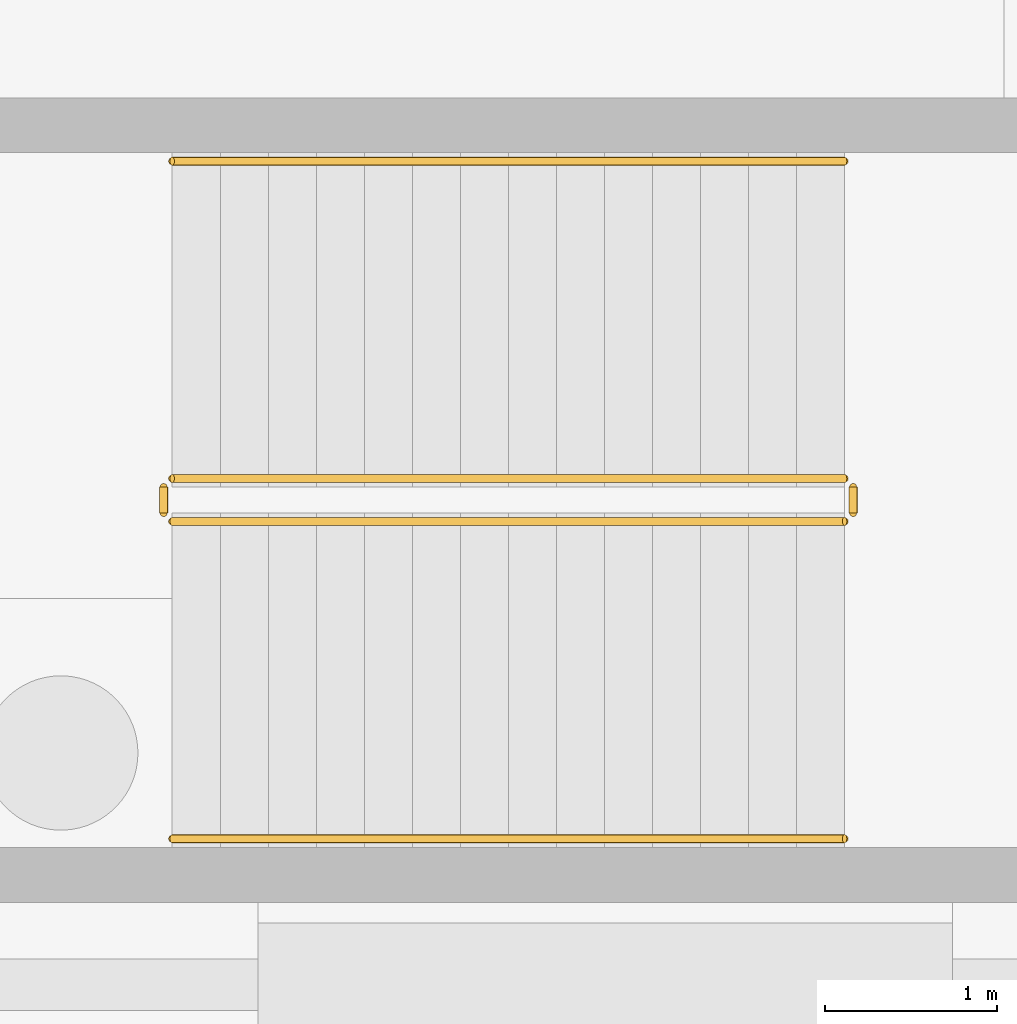
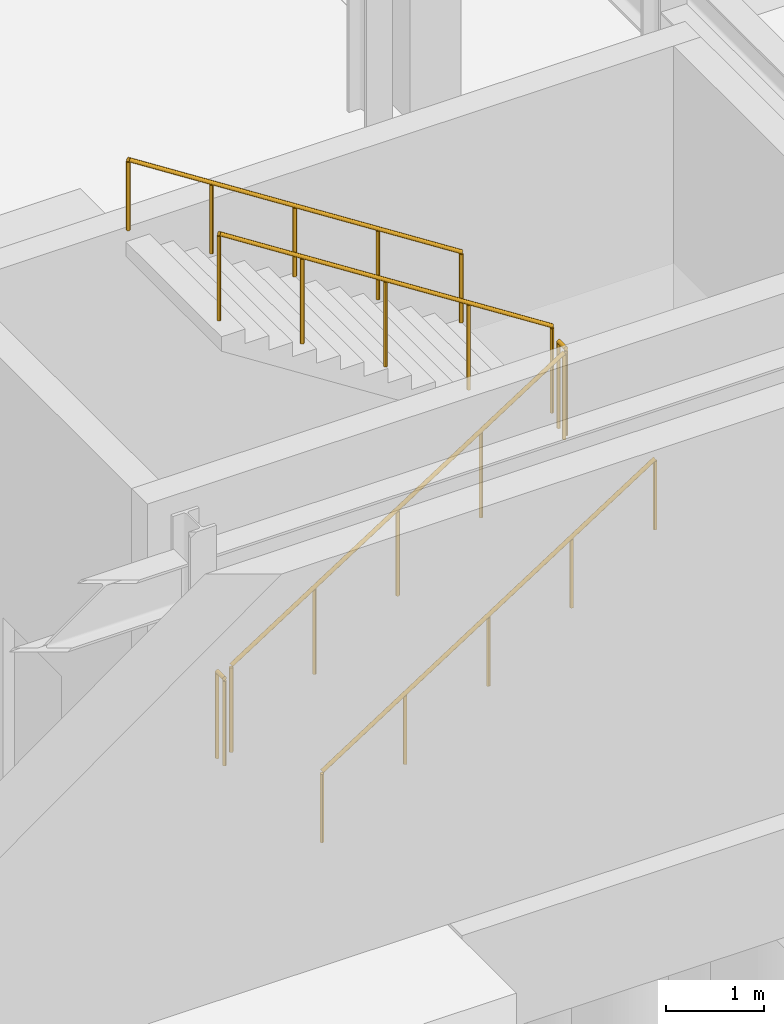
# One storey, part 54 of 65: 6 railings.
"""IFC4 building model written with IfcOpenShell, lengths in metres."""

from ifc_helpers import new_model, si_unit, direction, frame, origin, origin_2d, place, context, subcontext, project, spatial, circle, extrude, material, type_object, element, save


model = new_model("IFC4")

# Units and contexts
model_context = context("Model", 3, precision=1e-05, world=origin(), true_north=direction((0.0, 1.0)))
body_context = subcontext(model_context, "Body", "Model", "MODEL_VIEW")
ifc_project = project(units=[si_unit("LENGTHUNIT", "METRE"), si_unit("AREAUNIT", "SQUARE_METRE"), si_unit("VOLUMEUNIT", "CUBIC_METRE"), si_unit("PLANEANGLEUNIT", "RADIAN"), si_unit("MASSUNIT", "GRAM", prefix="KILO")], contexts=[model_context])

# Site, building, storey
site_placement = place(None, origin())
site = spatial("IfcSite", under=ifc_project, at=site_placement, CompositionType="ELEMENT")
building_placement = place(site_placement, origin())
building = spatial("IfcBuilding", under=site, at=building_placement, Name="Kaldris Quays Convention Centre", CompositionType="ELEMENT")
storey_placement = place(building_placement, frame((0.0, 0.0, -5.39990234375)))
storey = spatial("IfcBuildingStorey", under=building, at=storey_placement, Name="B1", CompositionType="ELEMENT", Elevation=-5.39990234375)

# Railings
ifc_material_1 = material(Name="Steel S355J2", Category="steel")
railing_type_1 = type_object("IfcRailingType", Name="INTERIOR GUARDRAIL GR01", PredefinedType="GUARDRAIL", material=ifc_material_1)
railing_1_placement = place(storey_placement, frame((76.0, 18.699951171875, 0.179931640625)))
element("IfcRailing", 1, at=railing_1_placement, inside=storey, type_object=railing_type_1, Name="B1 ST06 Stair Guardrail 1", PredefinedType="GUARDRAIL", context=body_context, shape_type="SweptSolid", body=[
    extrude(circle(Radius=0.02392578125, at=origin_2d()), frame((0.0, 0.0, 1.076171875), z_axis=(0.841171666519, 0.0, 0.540768182723), x_axis=(0.0, 1.0, 0.0)), (0.0, 0.0, 1.0), 4.66015625),
    extrude(circle(Radius=0.02099609375, at=origin_2d()), origin(), (0.0, 0.0, 1.0), 1.052001953125),
    extrude(circle(Radius=0.02099609375, at=origin_2d()), frame((0.97998046875, 0.0, 0.6298828125)), (0.0, 0.0, 1.0), 1.052001953125),
    extrude(circle(Radius=0.02099609375, at=origin_2d()), frame((1.9599609375, 0.0, 1.260009765625)), (0.0, 0.0, 1.0), 1.052001953125),
    extrude(circle(Radius=0.02099609375, at=origin_2d()), frame((2.93994140625, 0.0, 1.89013671875)), (0.0, 0.0, 1.0), 1.052001953125),
    extrude(circle(Radius=0.02099609375, at=origin_2d()), frame((3.919921875, 0.0, 2.52001953125)), (0.0, 0.0, 1.0), 1.052001953125),
])
railing_2_placement = place(storey_placement, frame((79.969970703125, 18.75, 2.699951171875)))
element("IfcRailing", 2, at=railing_2_placement, inside=storey, type_object=railing_type_1, Name="B1 ST06 Stair Guardrail 2", PredefinedType="GUARDRAIL", context=body_context, shape_type="SweptSolid", body=[
    extrude(circle(Radius=0.02392578125, at=origin_2d()), frame((0.0, 0.0, 1.076171875), z_axis=(0.0, 1.0, 0.0), x_axis=(-1.0, 0.0, 0.0)), (0.0, 0.0, 1.0), 0.14990234375),
    extrude(circle(Radius=0.02099609375, at=origin_2d()), origin(), (0.0, 0.0, 1.0), 1.052001953125),
    extrude(circle(Radius=0.02099609375, at=origin_2d()), frame((0.0, 0.14990234375, 0.0)), (0.0, 0.0, 1.0), 1.052001953125),
])
railing_3_placement = place(storey_placement, frame((79.919921875, 18.949951171875, 2.8798828125)))
element("IfcRailing", 3, at=railing_3_placement, inside=storey, type_object=railing_type_1, Name="B1 ST06 Stair Guardrail 3", PredefinedType="GUARDRAIL", context=body_context, shape_type="SweptSolid", body=[
    extrude(circle(Radius=0.02392578125, at=origin_2d()), frame((0.0, 0.0, 1.076171875), z_axis=(-0.841171666519, 0.0, 0.540768182723), x_axis=(0.0, -1.0, 0.0)), (0.0, 0.0, 1.0), 4.66015625),
    extrude(circle(Radius=0.02099609375, at=origin_2d()), origin(), (0.0, 0.0, 1.0), 1.052001953125),
    extrude(circle(Radius=0.02099609375, at=origin_2d()), frame((-0.97998046875, 0.0, 0.6298828125)), (0.0, 0.0, 1.0), 1.052001953125),
    extrude(circle(Radius=0.02099609375, at=origin_2d()), frame((-1.9599609375, 0.0, 1.260009765625)), (0.0, 0.0, 1.0), 1.052001953125),
    extrude(circle(Radius=0.02099609375, at=origin_2d()), frame((-2.93994140625, 0.0, 1.89013671875)), (0.0, 0.0, 1.0), 1.052001953125),
    extrude(circle(Radius=0.02099609375, at=origin_2d()), frame((-3.919921875, 0.0, 2.52001953125)), (0.0, 0.0, 1.0), 1.052001953125),
])
railing_4_placement = place(storey_placement, frame((75.949951171875, 18.75, 0.0)))
element("IfcRailing", 4, at=railing_4_placement, inside=storey, type_object=railing_type_1, Name="B1 ST06 Stair Guardrail 4", PredefinedType="GUARDRAIL", context=body_context, shape_type="SweptSolid", body=[
    extrude(circle(Radius=0.02392578125, at=origin_2d()), frame((0.0, 0.0, 1.076171875), z_axis=(0.0, 1.0, 0.0), x_axis=(-1.0, 0.0, 0.0)), (0.0, 0.0, 1.0), 0.14990234375),
    extrude(circle(Radius=0.02099609375, at=origin_2d()), origin(), (0.0, 0.0, 1.0), 1.052001953125),
    extrude(circle(Radius=0.02099609375, at=origin_2d()), frame((0.0, 0.14990234375, 0.0)), (0.0, 0.0, 1.0), 1.052001953125),
])
ifc_material_2 = material(Name="Stainless steel 1.4301", Category="steel")
railing_type_2 = type_object("IfcRailingType", Name="STAIR HANDRAIL HR01", PredefinedType="HANDRAIL", material=ifc_material_2)
railing_5_placement = place(storey_placement, frame((76.0, 16.85009765625, 0.179931640625)))
element("IfcRailing", 5, at=railing_5_placement, inside=storey, type_object=railing_type_2, Name="B1 ST06 Flight Handrail 1", PredefinedType="HANDRAIL", context=body_context, shape_type="SweptSolid", body=[
    extrude(circle(Radius=0.02392578125, at=origin_2d()), frame((0.0, 0.0, 0.8759765625), z_axis=(0.841171666519, 0.0, 0.540768182723), x_axis=(0.0, 1.0, 0.0)), (0.0, 0.0, 1.0), 4.66015625),
    extrude(circle(Radius=0.02099609375, at=origin_2d()), origin(), (0.0, 0.0, 1.0), 0.851806640625),
    extrude(circle(Radius=0.02099609375, at=origin_2d()), frame((0.97998046875, 0.0, 0.6298828125)), (0.0, 0.0, 1.0), 0.851806640625),
    extrude(circle(Radius=0.02099609375, at=origin_2d()), frame((1.9599609375, 0.0, 1.260009765625)), (0.0, 0.0, 1.0), 0.851806640625),
    extrude(circle(Radius=0.02099609375, at=origin_2d()), frame((2.93994140625, 0.0, 1.89013671875)), (0.0, 0.0, 1.0), 0.851806640625),
    extrude(circle(Radius=0.02099609375, at=origin_2d()), frame((3.919921875, 0.0, 2.52001953125)), (0.0, 0.0, 1.0), 0.851806640625),
])
railing_6_placement = place(storey_placement, frame((79.919921875, 20.800048828125, 2.8798828125)))
element("IfcRailing", 6, at=railing_6_placement, inside=storey, type_object=railing_type_2, Name="B1 ST06 Flight Handrail 2", PredefinedType="HANDRAIL", context=body_context, shape_type="SweptSolid", body=[
    extrude(circle(Radius=0.02392578125, at=origin_2d()), frame((0.0, 0.0, 0.8759765625), z_axis=(-0.841171666519, 0.0, 0.540768182723), x_axis=(0.0, -1.0, 0.0)), (0.0, 0.0, 1.0), 4.66015625),
    extrude(circle(Radius=0.02099609375, at=origin_2d()), origin(), (0.0, 0.0, 1.0), 0.851806640625),
    extrude(circle(Radius=0.02099609375, at=origin_2d()), frame((-0.97998046875, 0.0, 0.6298828125)), (0.0, 0.0, 1.0), 0.851806640625),
    extrude(circle(Radius=0.02099609375, at=origin_2d()), frame((-1.9599609375, 0.0, 1.260009765625)), (0.0, 0.0, 1.0), 0.851806640625),
    extrude(circle(Radius=0.02099609375, at=origin_2d()), frame((-2.93994140625, 0.0, 1.89013671875)), (0.0, 0.0, 1.0), 0.851806640625),
    extrude(circle(Radius=0.02099609375, at=origin_2d()), frame((-3.919921875, 0.0, 2.52001953125)), (0.0, 0.0, 1.0), 0.851806640625),
])

save(model, "model.ifc")
